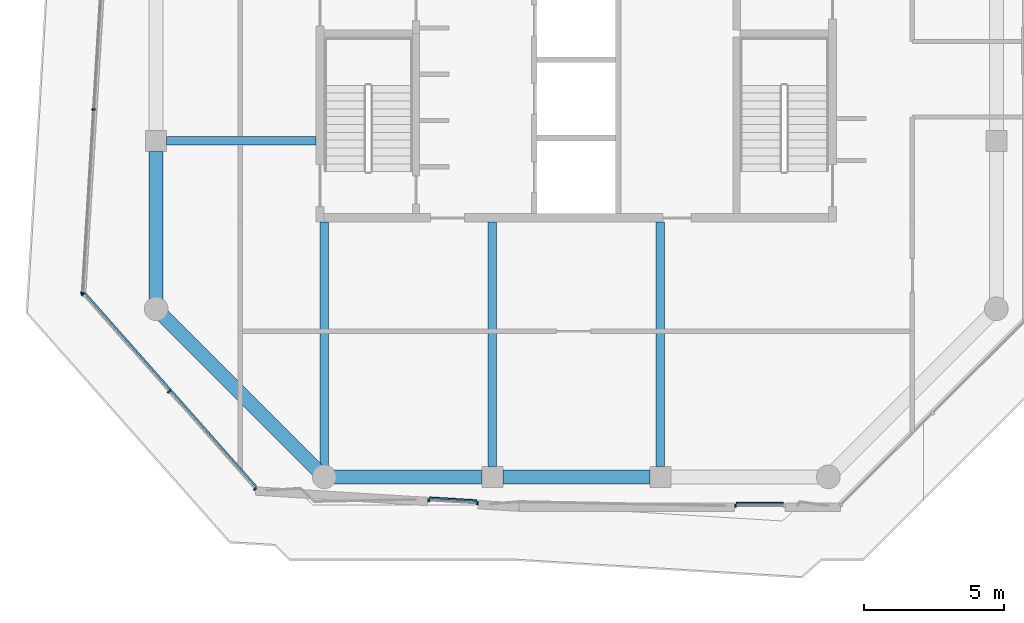
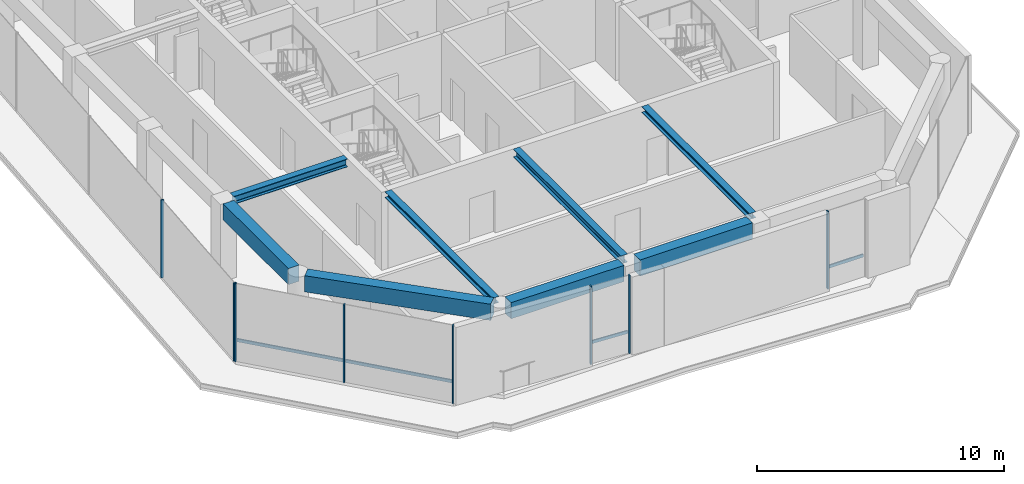
# One storey, part 2 of 18: 11 members, 8 beams, 4 elements without a shape of their own.
"""IFC4 building model written with IfcOpenShell, lengths in metres."""

from ifc_helpers import new_model, si_unit, direction, frame, origin, origin_2d, place, context, subcontext, project, spatial, rectangle, i_section, extrude, material, layer, layer_set, material_profile, profile_set, type_object, element, aggregate, save


model = new_model("IFC4")

# Units and contexts
model_context = context("Model", 3, precision=1e-05, world=origin(), true_north=direction((0.0, 1.0)))
body_context = subcontext(model_context, "Body", "Model", "MODEL_VIEW")
ifc_project = project(units=[si_unit("LENGTHUNIT", "METRE"), si_unit("AREAUNIT", "SQUARE_METRE"), si_unit("VOLUMEUNIT", "CUBIC_METRE"), si_unit("PLANEANGLEUNIT", "RADIAN"), si_unit("MASSUNIT", "GRAM", prefix="KILO")], contexts=[model_context])

# Site, building, storey
site_placement = place(None, origin())
site = spatial("IfcSite", under=ifc_project, at=site_placement, CompositionType="ELEMENT")
building_placement = place(site_placement, origin())
building = spatial("IfcBuilding", under=site, at=building_placement, Name="Welwitschia Terrace Campus", CompositionType="ELEMENT")
storey_placement = place(building_placement, frame((0.0, 0.0, 272.60009765625)))
storey = spatial("IfcBuildingStorey", under=building, at=storey_placement, Name="L60", CompositionType="ELEMENT", Elevation=272.60009765625)

# Beams
ifc_material_1 = material(Name="Steel S355", Category="steel")
ifc_material_profile_1 = material_profile(ifc_material_1, i_section(OverallWidth=0.300048828125, OverallDepth=0.300048828125, WebThickness=0.010986328125, FlangeThickness=0.01904296875, FilletRadius=0.027099609375, at=origin_2d()))
ifc_profile_set_1 = profile_set([ifc_material_profile_1], Name="Steel S355")
beam_type_1 = type_object("IfcBeamType", Name="Interior girder HE 300 B", PredefinedType="BEAM", material=ifc_profile_set_1)
beam_1_placement = place(storey_placement, frame((6.0, -3.611572265625, 3.699951171875), z_axis=(0.0, 1.0, 0.0), x_axis=(-1.0, 0.0, 0.0)))
element("IfcBeam", 1, at=beam_1_placement, inside=storey, type_object=beam_type_1, Name="Girder GB6", PredefinedType="BEAM", context=body_context, shape_type="SweptSolid", body=[
    extrude(i_section(OverallWidth=0.300048828125, OverallDepth=0.300048828125, WebThickness=0.010986328125, FlangeThickness=0.01904296875, FilletRadius=0.027099609375, at=origin_2d()), origin(), (0.0, 0.0, 1.0), 8.710693359375),
])
beam_2_placement = place(storey_placement, frame((18.0, -3.634521484375, 3.699951171875), z_axis=(0.0, 1.0, 0.0), x_axis=(-1.0, 0.0, 0.0)))
element("IfcBeam", 2, at=beam_2_placement, inside=storey, type_object=beam_type_1, Name="Girder GB6", PredefinedType="BEAM", context=body_context, shape_type="SweptSolid", body=[
    extrude(i_section(OverallWidth=0.300048828125, OverallDepth=0.300048828125, WebThickness=0.010986328125, FlangeThickness=0.01904296875, FilletRadius=0.027099609375, at=origin_2d()), origin(), (0.0, 0.0, 1.0), 8.733642578125),
])

# Curtain wall, members
ifc_material_2 = material(Name="Bronze anodised aluminium", Category="aluminium")
ifc_layer = layer(ifc_material_2, 0.1201171875)
ifc_layer_set = layer_set([ifc_layer], Name="Bronze anodised aluminium")
curtain_wall_type = type_object("IfcCurtainWallType", Name="Curtain wall CW2 tower 6000", PredefinedType="NOTDEFINED", material=ifc_layer_set)
curtain_wall_1_placement = place(storey_placement, origin())
curtain_wall_1 = element("IfcCurtainWall", 3, at=curtain_wall_1_placement, inside=storey, type_object=curtain_wall_type, Name="CW L60.0.0", PredefinedType="NOTDEFINED")
ifc_material_3 = material(Name="Bronze anodised aluminium", Category="aluminium")
ifc_material_profile_2 = material_profile(ifc_material_3, rectangle(XDim=0.1201171875, YDim=0.06005859375, at=origin_2d()))
ifc_profile_set_2 = profile_set([ifc_material_profile_2], Name="Bronze anodised aluminium")
member_type_1 = type_object("IfcMemberType", Name="Mullion 60x120", PredefinedType="MULLION", material=ifc_profile_set_2)
member_1_placement = place(storey_placement, frame((-2.23681640625, 9.115966796875, 0.0), z_axis=(0.0, 0.0, 1.0), x_axis=(0.998134798422, -0.061048539535, 0.0)))
member_1 = element("IfcMember", 4, at=member_1_placement, type_object=member_type_1, Name="Mullion L60.0.0.3", PredefinedType="MULLION", context=body_context, shape_type="SweptSolid", body=[
    extrude(rectangle(XDim=0.1201171875, YDim=0.06005859375, at=origin_2d()), origin(), (0.0, 0.0, 1.0), 3.849853515625),
])
member_2_placement = place(storey_placement, frame((-2.63720703125, 2.5693359375, 0.0), z_axis=(0.0, 0.0, 1.0), x_axis=(0.998134798422, -0.061048539535, 0.0)))
member_2 = element("IfcMember", 5, at=member_2_placement, type_object=member_type_1, Name="Mullion L60.0.0.4", PredefinedType="MULLION", context=body_context, shape_type="SweptSolid", body=[
    extrude(rectangle(XDim=0.1201171875, YDim=0.06005859375, at=origin_2d()), origin(), (0.0, 0.0, 1.0), 3.849853515625),
])
aggregate(curtain_wall_1, [member_1, member_2])

curtain_wall_2_placement = place(storey_placement, origin())
curtain_wall_2 = element("IfcCurtainWall", 6, at=curtain_wall_2_placement, inside=storey, type_object=curtain_wall_type, Name="CW L60.1.0", PredefinedType="NOTDEFINED")
member_3_placement = place(storey_placement, frame((-2.619140625, 2.516845703125, 0.0), z_axis=(0.0, 0.0, 1.0), x_axis=(0.748955720789, 0.662620048216, 0.0)))
member_3 = element("IfcMember", 7, at=member_3_placement, type_object=member_type_1, Name="Mullion L60.1.0.0", PredefinedType="MULLION", context=body_context, shape_type="SweptSolid", body=[
    extrude(rectangle(XDim=0.1201171875, YDim=0.06005859375, at=origin_2d()), origin(), (0.0, 0.0, 1.0), 3.849853515625),
])
member_4_placement = place(storey_placement, frame((0.454833984375, -0.957763671875, 0.0), z_axis=(0.0, 0.0, 1.0), x_axis=(0.748955720789, 0.662620048216, 0.0)))
member_4 = element("IfcMember", 8, at=member_4_placement, type_object=member_type_1, Name="Mullion L60.1.0.1", PredefinedType="MULLION", context=body_context, shape_type="SweptSolid", body=[
    extrude(rectangle(XDim=0.1201171875, YDim=0.06005859375, at=origin_2d()), origin(), (0.0, 0.0, 1.0), 3.849853515625),
])
member_5_placement = place(storey_placement, frame((3.529052734375, -4.432373046875, 0.0), z_axis=(0.0, 0.0, 1.0), x_axis=(0.748955720789, 0.662620048216, 0.0)))
member_5 = element("IfcMember", 9, at=member_5_placement, type_object=member_type_1, Name="Mullion L60.1.0.2", PredefinedType="MULLION", context=body_context, shape_type="SweptSolid", body=[
    extrude(rectangle(XDim=0.1201171875, YDim=0.06005859375, at=origin_2d()), origin(), (0.0, 0.0, 1.0), 3.849853515625),
])

curtain_wall_3_placement = place(storey_placement, origin())
curtain_wall_3 = element("IfcCurtainWall", 10, at=curtain_wall_3_placement, inside=storey, type_object=curtain_wall_type, Name="CW L60.2.S0", PredefinedType="NOTDEFINED")
member_6_placement = place(storey_placement, frame((9.73291015625, -4.8330078125, 0.0), z_axis=(0.0, 0.0, 1.0), x_axis=(0.061048539535, 0.998134798422, 0.0)))
member_6 = element("IfcMember", 11, at=member_6_placement, type_object=member_type_1, Name="Mullion L60.2.S0.0", PredefinedType="MULLION", context=body_context, shape_type="SweptSolid", body=[
    extrude(rectangle(XDim=0.1201171875, YDim=0.06005859375, at=origin_2d()), origin(), (0.0, 0.0, 1.0), 3.849853515625),
])
member_7_placement = place(storey_placement, frame((11.469482421875, -4.939453125, 0.0), z_axis=(0.0, 0.0, 1.0), x_axis=(0.061048539535, 0.998134798422, 0.0)))
member_7 = element("IfcMember", 12, at=member_7_placement, type_object=member_type_1, Name="Mullion L60.2.S0.1", PredefinedType="MULLION", context=body_context, shape_type="SweptSolid", body=[
    extrude(rectangle(XDim=0.1201171875, YDim=0.06005859375, at=origin_2d()), origin(), (0.0, 0.0, 1.0), 3.849853515625),
])

# Curtain wall, member
curtain_wall_4_placement = place(storey_placement, origin())
curtain_wall_4 = element("IfcCurtainWall", 13, at=curtain_wall_4_placement, inside=storey, type_object=curtain_wall_type, Name="CW L60.3.S0", PredefinedType="NOTDEFINED")
member_8_placement = place(storey_placement, frame((20.68798828125, -5.030029296875, 0.0), z_axis=(0.0, 0.0, 1.0), x_axis=(0.0, 1.0, 0.0)))
member_8 = element("IfcMember", 14, at=member_8_placement, type_object=member_type_1, Name="Mullion L60.3.S0.0", PredefinedType="MULLION", context=body_context, shape_type="SweptSolid", body=[
    extrude(rectangle(XDim=0.1201171875, YDim=0.06005859375, at=origin_2d()), origin(), (0.0, 0.0, 1.0), 3.849853515625),
])

# Beams
ifc_material_4 = material(Name="Steel S355", Category="steel")
ifc_material_profile_3 = material_profile(ifc_material_4, i_section(OverallWidth=0.300048828125, OverallDepth=0.39990234375, WebThickness=0.013427734375, FlangeThickness=0.02392578125, FilletRadius=0.027099609375, at=origin_2d()))
ifc_profile_set_3 = profile_set([ifc_material_profile_3], Name="Steel S355")
beam_type_2 = type_object("IfcBeamType", Name="Primary beam HE 400 B", PredefinedType="BEAM", material=ifc_profile_set_3)
beam_3_placement = place(storey_placement, frame((12.0, -3.62451171875, 3.64990234375), z_axis=(0.0, 1.0, 0.0), x_axis=(-1.0, 0.0, 0.0)))
element("IfcBeam", 15, at=beam_3_placement, inside=storey, type_object=beam_type_2, Name="Primary beam PB6", PredefinedType="BEAM", context=body_context, shape_type="SweptSolid", body=[
    extrude(i_section(OverallWidth=0.300048828125, OverallDepth=0.39990234375, WebThickness=0.013427734375, FlangeThickness=0.02392578125, FilletRadius=0.027099609375, at=origin_2d()), origin(), (0.0, 0.0, 1.0), 8.724609375),
])
beam_4_placement = place(storey_placement, frame((0.37548828125, 8.0, 3.64990234375), z_axis=(1.0, 0.0, 0.0), x_axis=(0.0, 1.0, 0.0)))
element("IfcBeam", 16, at=beam_4_placement, inside=storey, type_object=beam_type_2, Name="Primary beam PB6", PredefinedType="BEAM", context=body_context, shape_type="SweptSolid", body=[
    extrude(i_section(OverallWidth=0.300048828125, OverallDepth=0.39990234375, WebThickness=0.013427734375, FlangeThickness=0.02392578125, FilletRadius=0.027099609375, at=origin_2d()), origin(), (0.0, 0.0, 1.0), 5.324462890625),
])
ifc_material_5 = material(Name="Concrete C50/60", Category="concrete")
ifc_material_profile_4 = material_profile(ifc_material_5, rectangle(XDim=0.5, YDim=0.800048828125, at=origin_2d()))
ifc_profile_set_4 = profile_set([ifc_material_profile_4], Name="Concrete C50/60")
beam_type_3 = type_object("IfcBeamType", Name="Ring spandrel 500x800", PredefinedType="SPANDREL", material=ifc_profile_set_4)
beam_5_placement = place(storey_placement, frame((0.24365234375, 1.75634765625, 3.449951171875), z_axis=(0.707106781187, -0.707106781187, 0.0), x_axis=(0.707106781187, 0.707106781187, 0.0)))
element("IfcBeam", 17, at=beam_5_placement, inside=storey, type_object=beam_type_3, Name="Spandrel SP4", PredefinedType="SPANDREL", context=body_context, shape_type="SweptSolid", body=[
    extrude(rectangle(XDim=0.5, YDim=0.800048828125, at=origin_2d()), origin(), (0.0, 0.0, 1.0), 7.796142578125),
])
beam_6_placement = place(storey_placement, frame((6.344482421875, -4.0, 3.449951171875), z_axis=(1.0, 0.0, 0.0), x_axis=(0.0, 1.0, 0.0)))
element("IfcBeam", 18, at=beam_6_placement, inside=storey, type_object=beam_type_3, Name="Spandrel SP4", PredefinedType="SPANDREL", context=body_context, shape_type="SweptSolid", body=[
    extrude(rectangle(XDim=0.5, YDim=0.800048828125, at=origin_2d()), origin(), (0.0, 0.0, 1.0), 5.280029296875),
])
beam_7_placement = place(storey_placement, frame((12.37548828125, -4.0, 3.449951171875), z_axis=(1.0, 0.0, 0.0), x_axis=(0.0, 1.0, 0.0)))
element("IfcBeam", 19, at=beam_7_placement, inside=storey, type_object=beam_type_3, Name="Spandrel SP4", PredefinedType="SPANDREL", context=body_context, shape_type="SweptSolid", body=[
    extrude(rectangle(XDim=0.5, YDim=0.800048828125, at=origin_2d()), origin(), (0.0, 0.0, 1.0), 5.2490234375),
])
beam_8_placement = place(storey_placement, frame((0.0, 7.62451171875, 3.449951171875), z_axis=(0.0, -1.0, 0.0), x_axis=(1.0, 0.0, 0.0)))
element("IfcBeam", 20, at=beam_8_placement, inside=storey, type_object=beam_type_3, Name="Spandrel SP4", PredefinedType="SPANDREL", context=body_context, shape_type="SweptSolid", body=[
    extrude(rectangle(XDim=0.5, YDim=0.800048828125, at=origin_2d()), origin(), (0.0, 0.0, 1.0), 5.280029296875),
])

# Member
ifc_material_6 = material(Name="Bronze anodised aluminium", Category="aluminium")
ifc_material_profile_5 = material_profile(ifc_material_6, rectangle(XDim=0.06005859375, YDim=0.14990234375, at=origin_2d()))
ifc_profile_set_5 = profile_set([ifc_material_profile_5], Name="Bronze anodised aluminium")
member_type_2 = type_object("IfcMemberType", Name="Transom 60x150", PredefinedType="USERDEFINED", material=ifc_profile_set_5)
member_9_placement = place(storey_placement, frame((-2.53173828125, 2.553955078125, 1.0), z_axis=(0.662619595394, -0.748956121412, 0.0), x_axis=(0.748956121412, 0.662619595394, 0.0)))
member_9 = element("IfcMember", 21, at=member_9_placement, type_object=member_type_2, Name="Transom L60.1.0", ObjectType="TRANSOM", PredefinedType="USERDEFINED", context=body_context, shape_type="SweptSolid", body=[
    extrude(rectangle(XDim=0.06005859375, YDim=0.14990234375, at=origin_2d()), origin(), (0.0, 0.0, 1.0), 9.218505859375),
])

aggregate(curtain_wall_2, [member_3, member_4, member_5, member_9])

member_10_placement = place(storey_placement, frame((9.768310546875, -4.7451171875, 1.0), z_axis=(0.998135372894, -0.061039146275, 0.0), x_axis=(0.061039146275, 0.998135372894, 0.0)))
member_10 = element("IfcMember", 22, at=member_10_placement, type_object=member_type_2, Name="Transom L60.2.S0", ObjectType="TRANSOM", PredefinedType="USERDEFINED", context=body_context, shape_type="SweptSolid", body=[
    extrude(rectangle(XDim=0.06005859375, YDim=0.14990234375, at=origin_2d()), origin(), (0.0, 0.0, 1.0), 1.679931640625),
])

aggregate(curtain_wall_3, [member_6, member_7, member_10])

member_11_placement = place(storey_placement, frame((20.718017578125, -4.93994140625, 1.0), z_axis=(1.0, 0.0, 0.0), x_axis=(0.0, 1.0, 0.0)))
member_11 = element("IfcMember", 23, at=member_11_placement, type_object=member_type_2, Name="Transom L60.3.S0", ObjectType="TRANSOM", PredefinedType="USERDEFINED", context=body_context, shape_type="SweptSolid", body=[
    extrude(rectangle(XDim=0.06005859375, YDim=0.14990234375, at=origin_2d()), origin(), (0.0, 0.0, 1.0), 1.679931640625),
])

aggregate(curtain_wall_4, [member_8, member_11])

save(model, "model.ifc")
